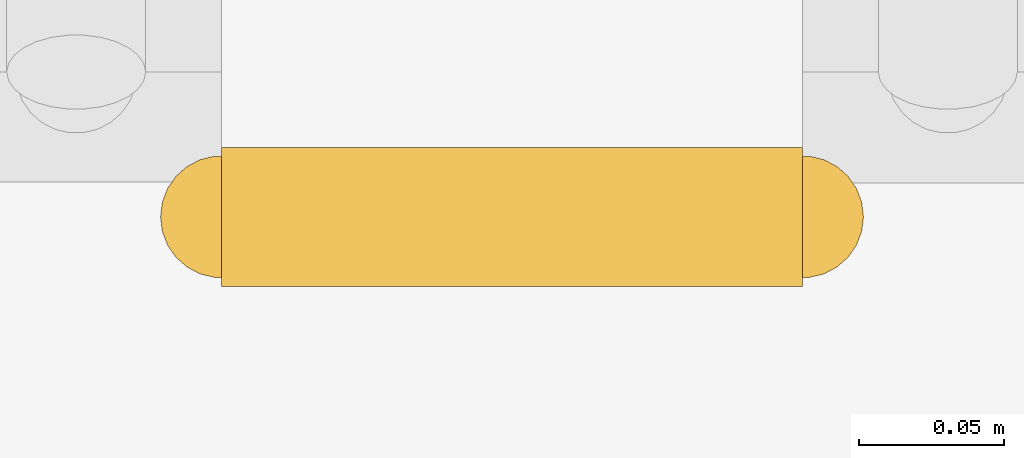
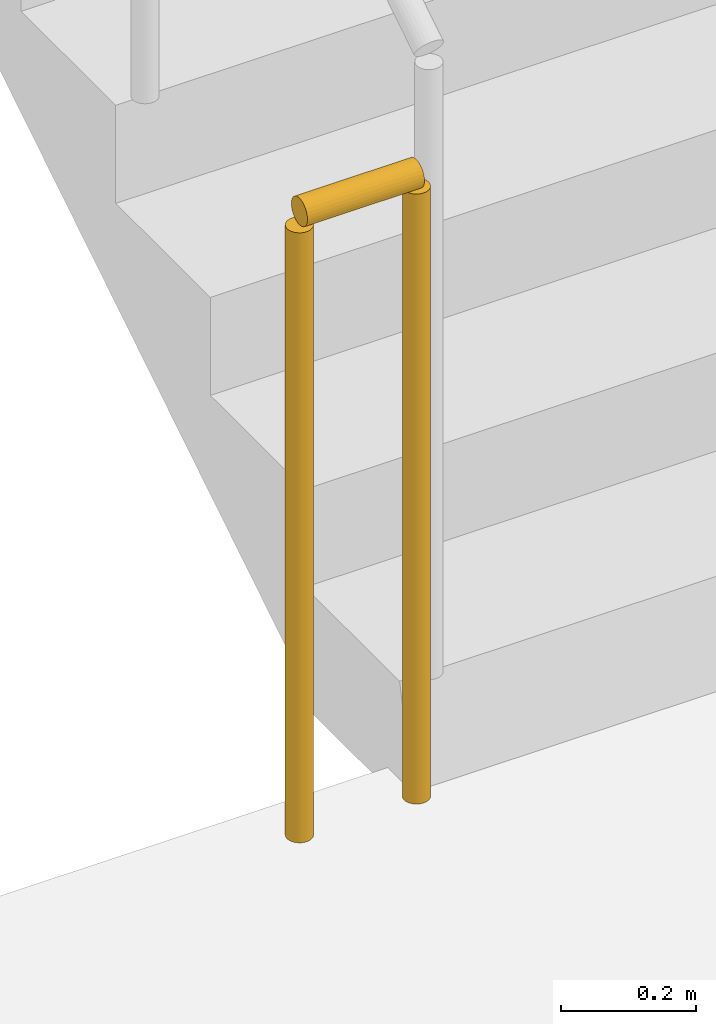
# One storey, part 34 of 45: 1 railing.
"""IFC4 building model written with IfcOpenShell, lengths in metres."""

from ifc_helpers import new_model, si_unit, direction, frame, origin, origin_2d, place, context, subcontext, project, spatial, circle, extrude, material, type_object, element, save


model = new_model("IFC4")

# Units and contexts
model_context = context("Model", 3, precision=1e-05, world=origin(), true_north=direction((0.0, 1.0)))
body_context = subcontext(model_context, "Body", "Model", "MODEL_VIEW")
ifc_project = project(units=[si_unit("LENGTHUNIT", "METRE"), si_unit("AREAUNIT", "SQUARE_METRE"), si_unit("VOLUMEUNIT", "CUBIC_METRE"), si_unit("PLANEANGLEUNIT", "RADIAN"), si_unit("MASSUNIT", "GRAM", prefix="KILO")], contexts=[model_context])

# Site, building, storey
site_placement = place(None, origin())
site = spatial("IfcSite", under=ifc_project, at=site_placement, CompositionType="ELEMENT")
building_placement = place(site_placement, origin())
building = spatial("IfcBuilding", under=site, at=building_placement, Name="Korimba Cascade Residences", CompositionType="ELEMENT")
storey_placement = place(building_placement, frame((0.0, 0.0, 5.39990234375)))
storey = spatial("IfcBuildingStorey", under=building, at=storey_placement, Name="L01", CompositionType="ELEMENT", Elevation=5.39990234375)

# Railing
ifc_material = material(Name="Painted Steel Stairwell Guardrail", Category="steel")
railing_type = type_object("IfcRailingType", Name="RLG-ST-GD1150", PredefinedType="GUARDRAIL", material=ifc_material)
railing_placement = place(storey_placement, frame((58.219970703125, 36.60009765625, 0.0)))
element("IfcRailing", 1, at=railing_placement, inside=storey, type_object=railing_type, Name="L01 ST-P1 stair guard 4", PredefinedType="GUARDRAIL", context=body_context, shape_type="SweptSolid", body=[
    extrude(circle(Radius=0.02392578125, at=origin_2d()), frame((0.0, 0.0, 1.1259765625), z_axis=(-1.0, 0.0, 0.0), x_axis=(0.0, -1.0, 0.0)), (0.0, 0.0, 1.0), 0.199951171875),
    extrude(circle(Radius=0.02099609375, at=origin_2d()), origin(), (0.0, 0.0, 1.0), 1.101806640625),
    extrude(circle(Radius=0.02099609375, at=origin_2d()), frame((-0.199951171875, 0.0, 0.0)), (0.0, 0.0, 1.0), 1.101806640625),
])

save(model, "model.ifc")
